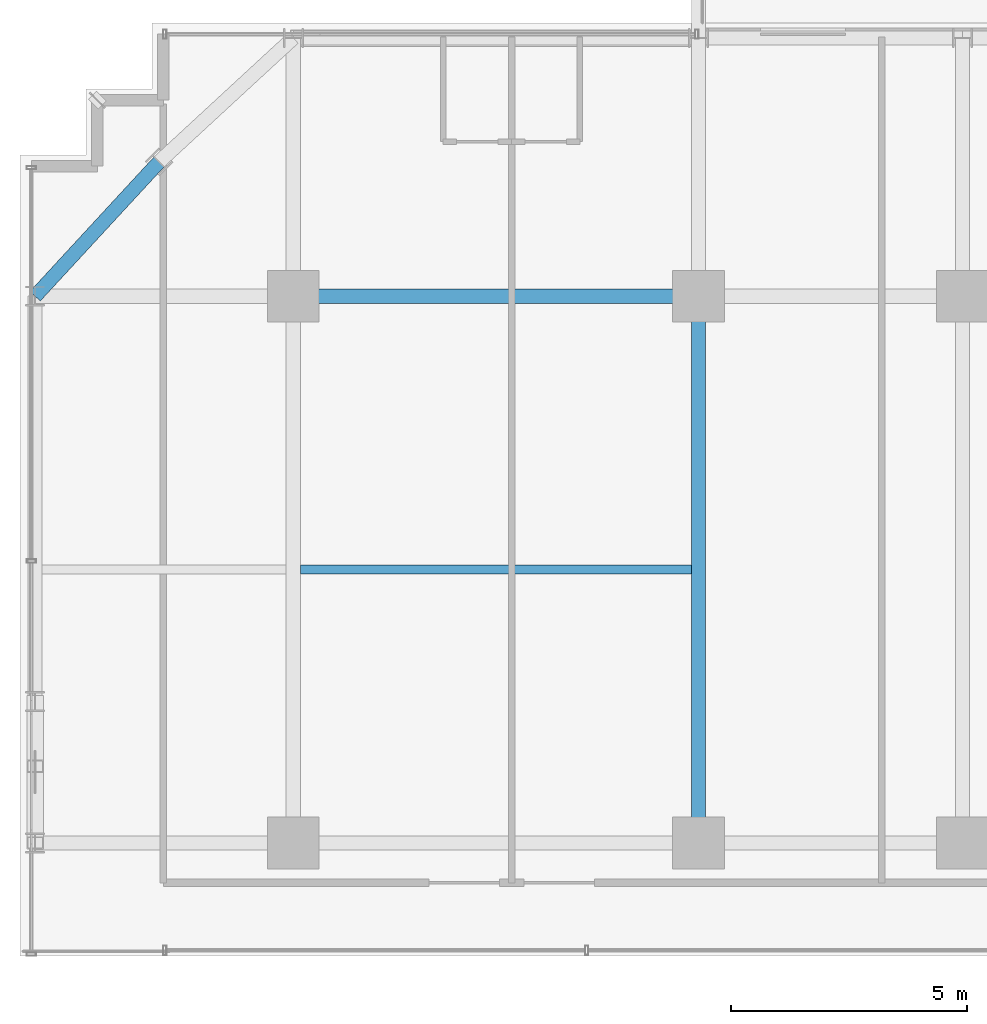
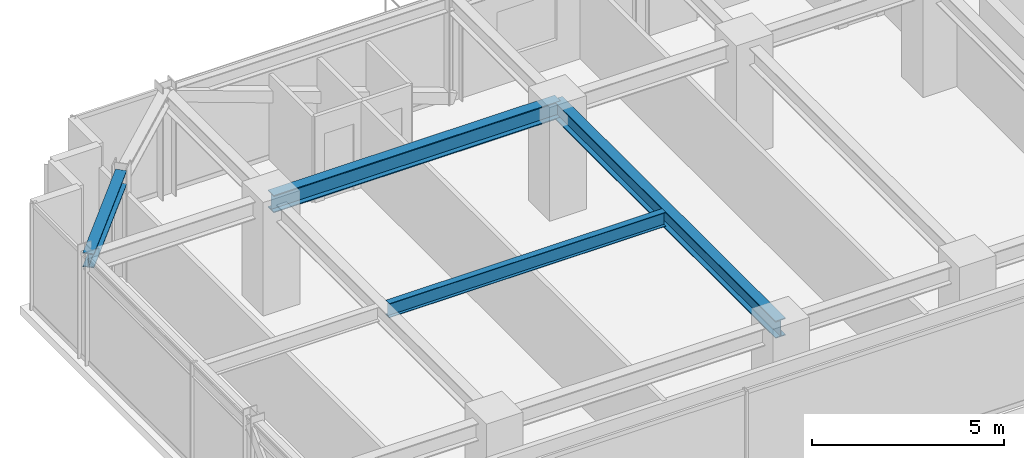
# One storey, part 21 of 41: 4 beams.
"""IFC4 building model written with IfcOpenShell, lengths in metres."""

from ifc_helpers import new_model, si_unit, direction, frame, origin, origin_2d, place, context, subcontext, project, spatial, i_section, extrude, source, transform, mapped, material, material_profile, profile_set, type_object, element, save


model = new_model("IFC4")

# Units and contexts
model_context = context("Model", 3, precision=1e-05, world=origin(), true_north=direction((0.0, 1.0)))
body_context = subcontext(model_context, "Body", "Model", "MODEL_VIEW")
ifc_project = project(units=[si_unit("LENGTHUNIT", "METRE"), si_unit("AREAUNIT", "SQUARE_METRE"), si_unit("VOLUMEUNIT", "CUBIC_METRE"), si_unit("PLANEANGLEUNIT", "RADIAN"), si_unit("MASSUNIT", "GRAM", prefix="KILO")], contexts=[model_context])

# Site, building, storey
site_placement = place(None, origin())
site = spatial("IfcSite", under=ifc_project, at=site_placement, CompositionType="ELEMENT")
building_placement = place(site_placement, origin())
building = spatial("IfcBuilding", under=site, at=building_placement, Name="Nahalor Promenade Grand Hotel", CompositionType="ELEMENT")
storey_placement = place(building_placement, frame((0.0, 0.0, 159.949951171875)))
storey = spatial("IfcBuildingStorey", under=building, at=storey_placement, Name="L40", CompositionType="ELEMENT", Elevation=159.949951171875)

# Beams
ifc_material = material(Name="Steel S355JR", Category="steel")
ifc_material_profile_1 = material_profile(ifc_material, i_section(OverallWidth=0.3, OverallDepth=0.55, WebThickness=0.015, FlangeThickness=0.029, at=origin_2d()), Name="HEB 550")
ifc_profile_set_1 = profile_set([ifc_material_profile_1], Name="Steel S355JR")
beam_type_1 = type_object("IfcBeamType", Name="Beam-Girder-HEB550", PredefinedType="BEAM", material=ifc_profile_set_1)
shared_shape_1 = source(origin(), body_context, "Body", "SweptSolid", [
    extrude(i_section(OverallWidth=0.3, OverallDepth=0.55, WebThickness=0.015, FlangeThickness=0.029, at=origin_2d()), origin(), (0.0, 0.0, 1.0), 8.60009765625),
])
beam_1_placement = place(storey_placement, frame((-17.0, 17.0, 3.114990234375), z_axis=(1.0, 0.0, 0.0), x_axis=(0.0, 1.0, 0.0)))
element("IfcBeam", 1, at=beam_1_placement, inside=storey, type_object=beam_type_1, Name="BM-L40-GX-3-1", PredefinedType="BEAM", context=body_context, shape_type="MappedRepresentation", body=[
    mapped(shared_shape_1, transform((0.0, 0.0, 0.0), scale=1.0)),
])
shared_shape_2 = source(origin(), body_context, "Body", "SweptSolid", [
    extrude(i_section(OverallWidth=0.3, OverallDepth=0.55, WebThickness=0.015, FlangeThickness=0.029, at=origin_2d()), origin(), (0.0, 0.0, 1.0), 11.60009765625),
])
beam_2_placement = place(storey_placement, frame((-8.39990234375, 5.39990234375, 3.114990234375), z_axis=(0.0, 1.0, 0.0), x_axis=(-1.0, 0.0, 0.0)))
element("IfcBeam", 2, at=beam_2_placement, inside=storey, type_object=beam_type_1, Name="BM-L40-GY-1-3", PredefinedType="BEAM", context=body_context, shape_type="MappedRepresentation", body=[
    mapped(shared_shape_2, transform((0.0, 0.0, 0.0), scale=1.0)),
])
ifc_material_profile_2 = material_profile(ifc_material, i_section(OverallWidth=0.19, OverallDepth=0.45, WebThickness=0.0094, FlangeThickness=0.0146, at=origin_2d()), Name="IPE 450")
ifc_profile_set_2 = profile_set([ifc_material_profile_2], Name="Steel S355JR")
beam_type_2 = type_object("IfcBeamType", Name="Beam-Joist-IPE450", PredefinedType="JOIST", material=ifc_profile_set_2)
shared_shape_3 = source(origin(), body_context, "Body", "SweptSolid", [
    extrude(i_section(OverallWidth=0.19, OverallDepth=0.45, WebThickness=0.0094, FlangeThickness=0.0146, at=origin_2d()), origin(), (0.0, 0.0, 1.0), 8.300048828125),
])
beam_3_placement = place(storey_placement, frame((-16.85009765625, 11.199951171875, 3.1650390625), z_axis=(1.0, 0.0, 0.0), x_axis=(0.0, 1.0, 0.0)))
element("IfcBeam", 3, at=beam_3_placement, inside=storey, type_object=beam_type_2, Name="BM-L40-JSW-1-1", PredefinedType="JOIST", context=body_context, shape_type="MappedRepresentation", body=[
    mapped(shared_shape_3, transform((0.0, 0.0, 0.0), scale=1.0)),
])
ifc_material_profile_3 = material_profile(ifc_material, i_section(OverallWidth=0.3, OverallDepth=0.45, WebThickness=0.014, FlangeThickness=0.026, at=origin_2d()), Name="HEB 450")
ifc_profile_set_3 = profile_set([ifc_material_profile_3], Name="Steel S355JR")
beam_type_3 = type_object("IfcBeamType", Name="Beam-Spandrel-HEB450", PredefinedType="SPANDREL", material=ifc_profile_set_3)
shared_shape_4 = source(origin(), body_context, "Body", "SweptSolid", [
    extrude(i_section(OverallWidth=0.3, OverallDepth=0.45, WebThickness=0.014, FlangeThickness=0.026, at=origin_2d()), origin(), (0.0, 0.0, 1.0), 3.878173828125),
])
beam_4_placement = place(storey_placement, frame((-19.85009765625, 19.85009765625, 3.1650390625), z_axis=(-0.678144125843, -0.73492893846, 0.0), x_axis=(0.73492893846, -0.678144125843, 0.0)))
element("IfcBeam", 4, at=beam_4_placement, inside=storey, type_object=beam_type_3, Name="BM-L40-SPC-NW-2", PredefinedType="SPANDREL", context=body_context, shape_type="MappedRepresentation", body=[
    mapped(shared_shape_4, transform((0.0, 0.0, 0.0), scale=1.0)),
])

save(model, "model.ifc")
